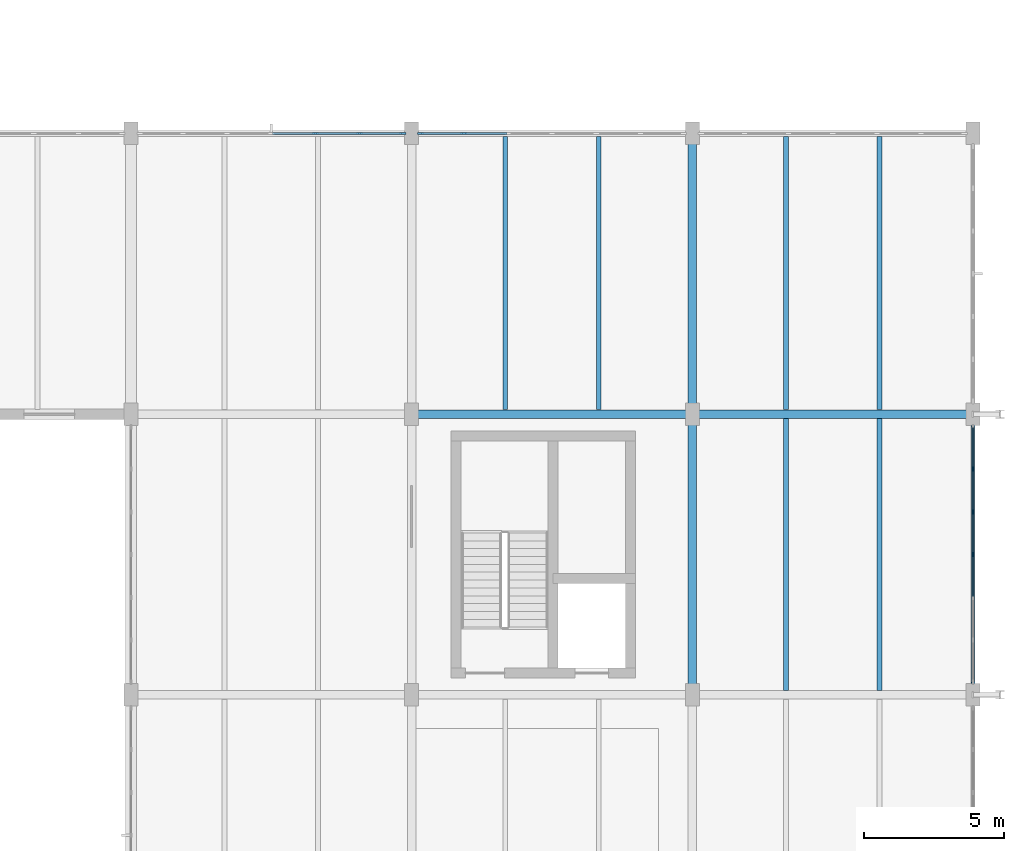
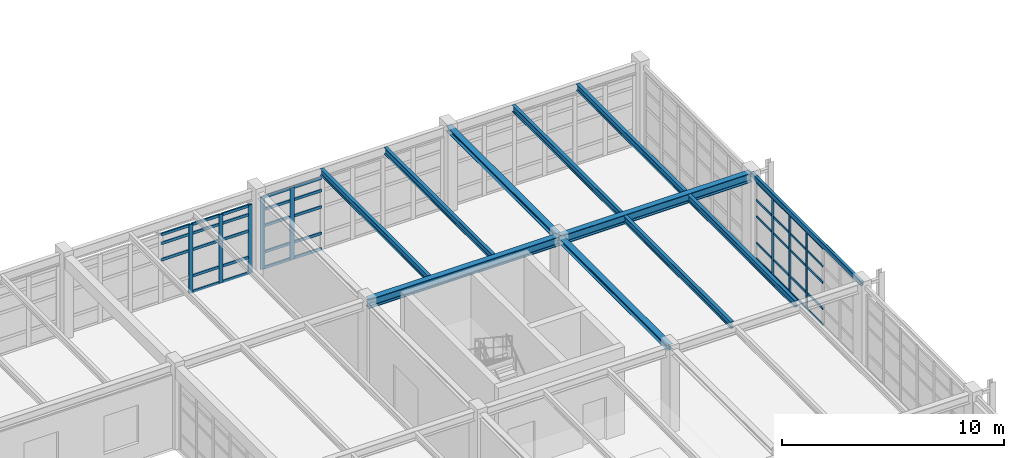
# One storey, part 76 of 139: 51 members, 11 beams, 3 elements without a shape of their own.
"""IFC4 building model written with IfcOpenShell, lengths in metres."""

from ifc_helpers import new_model, si_unit, direction, frame, origin, origin_2d, place, context, subcontext, project, spatial, rectangle, hollow_rectangle, i_section, extrude, material, layer, layer_set, material_profile, profile_set, type_object, element, aggregate, save


model = new_model("IFC4")

# Units and contexts
model_context = context("Model", 3, precision=1e-05, world=origin(), true_north=direction((0.0, 1.0)))
body_context = subcontext(model_context, "Body", "Model", "MODEL_VIEW")
ifc_project = project(units=[si_unit("LENGTHUNIT", "METRE"), si_unit("AREAUNIT", "SQUARE_METRE"), si_unit("VOLUMEUNIT", "CUBIC_METRE"), si_unit("PLANEANGLEUNIT", "RADIAN"), si_unit("MASSUNIT", "GRAM", prefix="KILO"), si_unit("THERMODYNAMICTEMPERATUREUNIT", "KELVIN"), si_unit("POWERUNIT", "WATT")], contexts=[model_context])

# Site, building, storey
site_placement = place(None, origin())
site = spatial("IfcSite", under=ifc_project, at=site_placement, CompositionType="ELEMENT")
building_placement = place(site_placement, origin())
building = spatial("IfcBuilding", under=site, at=building_placement, Name="Korenveer Ferry Terminal", CompositionType="ELEMENT")
storey_placement = place(building_placement, frame((0.0, 0.0, 5.39990234375)))
storey = spatial("IfcBuildingStorey", under=building, at=storey_placement, Name="L01", CompositionType="ELEMENT", Elevation=5.39990234375)

# Curtain wall, members
ifc_material_1 = material(Name="Unitised bronze-and-glass curtain wall", Category="glass")
ifc_layer_1 = layer(ifc_material_1, 0.159912109375)
ifc_layer_set_1 = layer_set([ifc_layer_1], Name="Unitised bronze-and-glass curtain wall")
curtain_wall_type_1 = type_object("IfcCurtainWallType", Name="ENV-CW-81", PredefinedType="USERDEFINED", material=ifc_layer_set_1)
curtain_wall_1_placement = place(storey_placement, frame((176.0, 69.570068359375, 0.0)))
curtain_wall_1 = element("IfcCurtainWall", 1, at=curtain_wall_1_placement, inside=storey, type_object=curtain_wall_type_1, Name="Lancet curtain wall CWX-L01-X176-176-Y60-70", ObjectType="UNITISED CURTAIN WALL", PredefinedType="USERDEFINED")
ifc_material_2 = material(Name="Anodised bronze aluminium", Category="aluminium")
ifc_material_profile_1 = material_profile(ifc_material_2, rectangle(XDim=0.06005859375, YDim=0.159912109375, at=origin_2d()), Name="ALU 60x160")
ifc_profile_set_1 = profile_set([ifc_material_profile_1], Name="Anodised bronze aluminium")
member_type_1 = type_object("IfcMemberType", Name="ENV-CWM-60X160", PredefinedType="MULLION", material=ifc_profile_set_1)
member_1_placement = place(storey_placement, frame((176.0, 68.046630859375, 0.0), z_axis=(0.0, 0.0, 1.0), x_axis=(1.0, 0.0, 0.0)))
member_1 = element("IfcMember", 2, at=member_1_placement, type_object=member_type_1, Name="CW-81 mullion 2", PredefinedType="MULLION", context=body_context, shape_type="SweptSolid", body=[
    extrude(rectangle(XDim=0.06005859375, YDim=0.159912109375, at=origin_2d()), origin(), (0.0, 0.0, 1.0), 4.27001953125),
])
member_2_placement = place(storey_placement, frame((176.0, 66.5234375, 0.0), z_axis=(0.0, 0.0, 1.0), x_axis=(1.0, 0.0, 0.0)))
member_2 = element("IfcMember", 3, at=member_2_placement, type_object=member_type_1, Name="CW-81 mullion 3", PredefinedType="MULLION", context=body_context, shape_type="SweptSolid", body=[
    extrude(rectangle(XDim=0.06005859375, YDim=0.159912109375, at=origin_2d()), origin(), (0.0, 0.0, 1.0), 4.27001953125),
])
member_3_placement = place(storey_placement, frame((176.0, 65.0, 0.0), z_axis=(0.0, 0.0, 1.0), x_axis=(1.0, 0.0, 0.0)))
member_3 = element("IfcMember", 4, at=member_3_placement, type_object=member_type_1, Name="CW-81 mullion 4", PredefinedType="MULLION", context=body_context, shape_type="SweptSolid", body=[
    extrude(rectangle(XDim=0.06005859375, YDim=0.159912109375, at=origin_2d()), origin(), (0.0, 0.0, 1.0), 4.27001953125),
])

ifc_layer_2 = layer(ifc_material_1, 0.219970703125)
ifc_layer_set_2 = layer_set([ifc_layer_2], Name="Unitised bronze-and-glass curtain wall")
curtain_wall_type_2 = type_object("IfcCurtainWallType", Name="ENV-CW-48", PredefinedType="USERDEFINED", material=ifc_layer_set_2)
curtain_wall_2_placement = place(storey_placement, frame((146.280029296875, 80.0, 0.0)))
curtain_wall_2 = element("IfcCurtainWall", 5, at=curtain_wall_2_placement, inside=storey, type_object=curtain_wall_type_2, Name="Lancet curtain wall CWX-L01-X146-156-Y80-80", ObjectType="UNITISED CURTAIN WALL", PredefinedType="USERDEFINED")
ifc_material_profile_2 = material_profile(ifc_material_2, rectangle(XDim=0.074951171875, YDim=0.219970703125, at=origin_2d()), Name="ALU 75x220")
ifc_profile_set_2 = profile_set([ifc_material_profile_2], Name="Anodised bronze aluminium")
member_type_2 = type_object("IfcMemberType", Name="ENV-CWM-75X220", PredefinedType="MULLION", material=ifc_profile_set_2)
member_4_placement = place(storey_placement, frame((152.5732421875, 80.0, 0.0), z_axis=(0.0, 0.0, 1.0), x_axis=(0.0, 1.0, 0.0)))
member_4 = element("IfcMember", 6, at=member_4_placement, type_object=member_type_2, Name="CW-48 mullion 5", PredefinedType="MULLION", context=body_context, shape_type="SweptSolid", body=[
    extrude(rectangle(XDim=0.074951171875, YDim=0.219970703125, at=origin_2d()), origin(), (0.0, 0.0, 1.0), 3.77001953125),
])
member_5_placement = place(storey_placement, frame((154.146728515625, 80.0, 0.0), z_axis=(0.0, 0.0, 1.0), x_axis=(0.0, 1.0, 0.0)))
member_5 = element("IfcMember", 7, at=member_5_placement, type_object=member_type_2, Name="CW-48 mullion 6", PredefinedType="MULLION", context=body_context, shape_type="SweptSolid", body=[
    extrude(rectangle(XDim=0.074951171875, YDim=0.219970703125, at=origin_2d()), origin(), (0.0, 0.0, 1.0), 3.77001953125),
])
member_6_placement = place(storey_placement, frame((155.6826171875, 80.0, 0.0), z_axis=(0.0, 0.0, 1.0), x_axis=(0.0, 1.0, 0.0)))
member_6 = element("IfcMember", 8, at=member_6_placement, type_object=member_type_2, Name="CW-48 mullion 7", PredefinedType="MULLION", context=body_context, shape_type="SweptSolid", body=[
    extrude(rectangle(XDim=0.074951171875, YDim=0.219970703125, at=origin_2d()), origin(), (0.0, 0.0, 1.0), 3.77001953125),
])

ifc_layer_3 = layer(ifc_material_1, 0.219970703125)
ifc_layer_set_3 = layer_set([ifc_layer_3], Name="Unitised bronze-and-glass curtain wall")
curtain_wall_type_3 = type_object("IfcCurtainWallType", Name="ENV-CW-49", PredefinedType="USERDEFINED", material=ifc_layer_set_3)
curtain_wall_3_placement = place(storey_placement, frame((156.280029296875, 80.0, 0.0)))
curtain_wall_3 = element("IfcCurtainWall", 9, at=curtain_wall_3_placement, inside=storey, type_object=curtain_wall_type_3, Name="Lancet curtain wall CWX-L01-X156-166-Y80-80", ObjectType="UNITISED CURTAIN WALL", PredefinedType="USERDEFINED")
member_7_placement = place(storey_placement, frame((156.3173828125, 80.0, 0.0), z_axis=(0.0, 0.0, 1.0), x_axis=(0.0, 1.0, 0.0)))
member_7 = element("IfcMember", 10, at=member_7_placement, type_object=member_type_2, Name="CW-49 mullion 1", PredefinedType="MULLION", context=body_context, shape_type="SweptSolid", body=[
    extrude(rectangle(XDim=0.074951171875, YDim=0.219970703125, at=origin_2d()), origin(), (0.0, 0.0, 1.0), 3.97021484375),
])
member_8_placement = place(storey_placement, frame((157.853271484375, 80.0, 0.0), z_axis=(0.0, 0.0, 1.0), x_axis=(0.0, 1.0, 0.0)))
member_8 = element("IfcMember", 11, at=member_8_placement, type_object=member_type_2, Name="CW-49 mullion 2", PredefinedType="MULLION", context=body_context, shape_type="SweptSolid", body=[
    extrude(rectangle(XDim=0.074951171875, YDim=0.219970703125, at=origin_2d()), origin(), (0.0, 0.0, 1.0), 3.97021484375),
])

# Member
ifc_material_profile_3 = material_profile(ifc_material_2, rectangle(XDim=0.06005859375, YDim=0.1201171875, at=origin_2d()), Name="ALU 60x120")
ifc_profile_set_3 = profile_set([ifc_material_profile_3], Name="Anodised bronze aluminium")
member_type_3 = type_object("IfcMemberType", Name="ENV-CWT-60X120", PredefinedType="USERDEFINED", material=ifc_profile_set_3)
member_9_placement = place(storey_placement, frame((176.0, 69.510009765625, 0.030029296875), z_axis=(0.0, -1.0, 0.0), x_axis=(1.0, 0.0, 0.0)))
member_9 = element("IfcMember", 12, at=member_9_placement, type_object=member_type_3, Name="CW-81 transom 1.1", ObjectType="TRANSOM", PredefinedType="USERDEFINED", context=body_context, shape_type="SweptSolid", body=[
    extrude(rectangle(XDim=0.06005859375, YDim=0.1201171875, at=origin_2d()), origin(), (0.0, 0.0, 1.0), 1.433349609375),
])

member_10_placement = place(storey_placement, frame((176.0, 69.510009765625, 0.900146484375), z_axis=(0.0, -1.0, 0.0), x_axis=(1.0, 0.0, 0.0)))
member_10 = element("IfcMember", 13, at=member_10_placement, type_object=member_type_3, Name="CW-81 transom 1.2", ObjectType="TRANSOM", PredefinedType="USERDEFINED", context=body_context, shape_type="SweptSolid", body=[
    extrude(rectangle(XDim=0.06005859375, YDim=0.1201171875, at=origin_2d()), origin(), (0.0, 0.0, 1.0), 1.433349609375),
])

member_11_placement = place(storey_placement, frame((176.0, 69.510009765625, 2.35009765625), z_axis=(0.0, -1.0, 0.0), x_axis=(1.0, 0.0, 0.0)))
member_11 = element("IfcMember", 14, at=member_11_placement, type_object=member_type_3, Name="CW-81 transom 1.3", ObjectType="TRANSOM", PredefinedType="USERDEFINED", context=body_context, shape_type="SweptSolid", body=[
    extrude(rectangle(XDim=0.06005859375, YDim=0.1201171875, at=origin_2d()), origin(), (0.0, 0.0, 1.0), 1.433349609375),
])

member_12_placement = place(storey_placement, frame((176.0, 69.510009765625, 3.25), z_axis=(0.0, -1.0, 0.0), x_axis=(1.0, 0.0, 0.0)))
member_12 = element("IfcMember", 15, at=member_12_placement, type_object=member_type_3, Name="CW-81 transom 1.4", ObjectType="TRANSOM", PredefinedType="USERDEFINED", context=body_context, shape_type="SweptSolid", body=[
    extrude(rectangle(XDim=0.06005859375, YDim=0.1201171875, at=origin_2d()), origin(), (0.0, 0.0, 1.0), 1.433349609375),
])

member_13_placement = place(storey_placement, frame((176.0, 69.510009765625, 4.239990234375), z_axis=(0.0, -1.0, 0.0), x_axis=(1.0, 0.0, 0.0)))
member_13 = element("IfcMember", 16, at=member_13_placement, type_object=member_type_3, Name="CW-81 transom 1.5", ObjectType="TRANSOM", PredefinedType="USERDEFINED", context=body_context, shape_type="SweptSolid", body=[
    extrude(rectangle(XDim=0.06005859375, YDim=0.1201171875, at=origin_2d()), origin(), (0.0, 0.0, 1.0), 1.433349609375),
])

member_14_placement = place(storey_placement, frame((176.0, 68.0166015625, 0.030029296875), z_axis=(0.0, -1.0, 0.0), x_axis=(1.0, 0.0, 0.0)))
member_14 = element("IfcMember", 17, at=member_14_placement, type_object=member_type_3, Name="CW-81 transom 2.1", ObjectType="TRANSOM", PredefinedType="USERDEFINED", context=body_context, shape_type="SweptSolid", body=[
    extrude(rectangle(XDim=0.06005859375, YDim=0.1201171875, at=origin_2d()), origin(), (0.0, 0.0, 1.0), 1.46337890625),
])

member_15_placement = place(storey_placement, frame((176.0, 68.0166015625, 0.900146484375), z_axis=(0.0, -1.0, 0.0), x_axis=(1.0, 0.0, 0.0)))
member_15 = element("IfcMember", 18, at=member_15_placement, type_object=member_type_3, Name="CW-81 transom 2.2", ObjectType="TRANSOM", PredefinedType="USERDEFINED", context=body_context, shape_type="SweptSolid", body=[
    extrude(rectangle(XDim=0.06005859375, YDim=0.1201171875, at=origin_2d()), origin(), (0.0, 0.0, 1.0), 1.46337890625),
])

member_16_placement = place(storey_placement, frame((176.0, 68.0166015625, 2.35009765625), z_axis=(0.0, -1.0, 0.0), x_axis=(1.0, 0.0, 0.0)))
member_16 = element("IfcMember", 19, at=member_16_placement, type_object=member_type_3, Name="CW-81 transom 2.3", ObjectType="TRANSOM", PredefinedType="USERDEFINED", context=body_context, shape_type="SweptSolid", body=[
    extrude(rectangle(XDim=0.06005859375, YDim=0.1201171875, at=origin_2d()), origin(), (0.0, 0.0, 1.0), 1.46337890625),
])

member_17_placement = place(storey_placement, frame((176.0, 68.0166015625, 3.25), z_axis=(0.0, -1.0, 0.0), x_axis=(1.0, 0.0, 0.0)))
member_17 = element("IfcMember", 20, at=member_17_placement, type_object=member_type_3, Name="CW-81 transom 2.4", ObjectType="TRANSOM", PredefinedType="USERDEFINED", context=body_context, shape_type="SweptSolid", body=[
    extrude(rectangle(XDim=0.06005859375, YDim=0.1201171875, at=origin_2d()), origin(), (0.0, 0.0, 1.0), 1.46337890625),
])

member_18_placement = place(storey_placement, frame((176.0, 68.0166015625, 4.239990234375), z_axis=(0.0, -1.0, 0.0), x_axis=(1.0, 0.0, 0.0)))
member_18 = element("IfcMember", 21, at=member_18_placement, type_object=member_type_3, Name="CW-81 transom 2.5", ObjectType="TRANSOM", PredefinedType="USERDEFINED", context=body_context, shape_type="SweptSolid", body=[
    extrude(rectangle(XDim=0.06005859375, YDim=0.1201171875, at=origin_2d()), origin(), (0.0, 0.0, 1.0), 1.46337890625),
])

member_19_placement = place(storey_placement, frame((176.0, 66.493408203125, 0.030029296875), z_axis=(0.0, -1.0, 0.0), x_axis=(1.0, 0.0, 0.0)))
member_19 = element("IfcMember", 22, at=member_19_placement, type_object=member_type_3, Name="CW-81 transom 3.1", ObjectType="TRANSOM", PredefinedType="USERDEFINED", context=body_context, shape_type="SweptSolid", body=[
    extrude(rectangle(XDim=0.06005859375, YDim=0.1201171875, at=origin_2d()), origin(), (0.0, 0.0, 1.0), 1.46337890625),
])

member_20_placement = place(storey_placement, frame((176.0, 66.493408203125, 0.900146484375), z_axis=(0.0, -1.0, 0.0), x_axis=(1.0, 0.0, 0.0)))
member_20 = element("IfcMember", 23, at=member_20_placement, type_object=member_type_3, Name="CW-81 transom 3.2", ObjectType="TRANSOM", PredefinedType="USERDEFINED", context=body_context, shape_type="SweptSolid", body=[
    extrude(rectangle(XDim=0.06005859375, YDim=0.1201171875, at=origin_2d()), origin(), (0.0, 0.0, 1.0), 1.46337890625),
])

member_21_placement = place(storey_placement, frame((176.0, 66.493408203125, 2.35009765625), z_axis=(0.0, -1.0, 0.0), x_axis=(1.0, 0.0, 0.0)))
member_21 = element("IfcMember", 24, at=member_21_placement, type_object=member_type_3, Name="CW-81 transom 3.3", ObjectType="TRANSOM", PredefinedType="USERDEFINED", context=body_context, shape_type="SweptSolid", body=[
    extrude(rectangle(XDim=0.06005859375, YDim=0.1201171875, at=origin_2d()), origin(), (0.0, 0.0, 1.0), 1.46337890625),
])

member_22_placement = place(storey_placement, frame((176.0, 66.493408203125, 3.25), z_axis=(0.0, -1.0, 0.0), x_axis=(1.0, 0.0, 0.0)))
member_22 = element("IfcMember", 25, at=member_22_placement, type_object=member_type_3, Name="CW-81 transom 3.4", ObjectType="TRANSOM", PredefinedType="USERDEFINED", context=body_context, shape_type="SweptSolid", body=[
    extrude(rectangle(XDim=0.06005859375, YDim=0.1201171875, at=origin_2d()), origin(), (0.0, 0.0, 1.0), 1.46337890625),
])

member_23_placement = place(storey_placement, frame((176.0, 66.493408203125, 4.239990234375), z_axis=(0.0, -1.0, 0.0), x_axis=(1.0, 0.0, 0.0)))
member_23 = element("IfcMember", 26, at=member_23_placement, type_object=member_type_3, Name="CW-81 transom 3.5", ObjectType="TRANSOM", PredefinedType="USERDEFINED", context=body_context, shape_type="SweptSolid", body=[
    extrude(rectangle(XDim=0.06005859375, YDim=0.1201171875, at=origin_2d()), origin(), (0.0, 0.0, 1.0), 1.46337890625),
])

member_24_placement = place(storey_placement, frame((176.0, 64.969970703125, 0.030029296875), z_axis=(0.0, -1.0, 0.0), x_axis=(1.0, 0.0, 0.0)))
member_24 = element("IfcMember", 27, at=member_24_placement, type_object=member_type_3, Name="CW-81 transom 4.1", ObjectType="TRANSOM", PredefinedType="USERDEFINED", context=body_context, shape_type="SweptSolid", body=[
    extrude(rectangle(XDim=0.06005859375, YDim=0.1201171875, at=origin_2d()), origin(), (0.0, 0.0, 1.0), 1.46337890625),
])

member_25_placement = place(storey_placement, frame((176.0, 64.969970703125, 0.900146484375), z_axis=(0.0, -1.0, 0.0), x_axis=(1.0, 0.0, 0.0)))
member_25 = element("IfcMember", 28, at=member_25_placement, type_object=member_type_3, Name="CW-81 transom 4.2", ObjectType="TRANSOM", PredefinedType="USERDEFINED", context=body_context, shape_type="SweptSolid", body=[
    extrude(rectangle(XDim=0.06005859375, YDim=0.1201171875, at=origin_2d()), origin(), (0.0, 0.0, 1.0), 1.46337890625),
])

member_26_placement = place(storey_placement, frame((176.0, 64.969970703125, 2.35009765625), z_axis=(0.0, -1.0, 0.0), x_axis=(1.0, 0.0, 0.0)))
member_26 = element("IfcMember", 29, at=member_26_placement, type_object=member_type_3, Name="CW-81 transom 4.3", ObjectType="TRANSOM", PredefinedType="USERDEFINED", context=body_context, shape_type="SweptSolid", body=[
    extrude(rectangle(XDim=0.06005859375, YDim=0.1201171875, at=origin_2d()), origin(), (0.0, 0.0, 1.0), 1.46337890625),
])

member_27_placement = place(storey_placement, frame((176.0, 64.969970703125, 3.25), z_axis=(0.0, -1.0, 0.0), x_axis=(1.0, 0.0, 0.0)))
member_27 = element("IfcMember", 30, at=member_27_placement, type_object=member_type_3, Name="CW-81 transom 4.4", ObjectType="TRANSOM", PredefinedType="USERDEFINED", context=body_context, shape_type="SweptSolid", body=[
    extrude(rectangle(XDim=0.06005859375, YDim=0.1201171875, at=origin_2d()), origin(), (0.0, 0.0, 1.0), 1.46337890625),
])

member_28_placement = place(storey_placement, frame((176.0, 64.969970703125, 4.239990234375), z_axis=(0.0, -1.0, 0.0), x_axis=(1.0, 0.0, 0.0)))
member_28 = element("IfcMember", 31, at=member_28_placement, type_object=member_type_3, Name="CW-81 transom 4.5", ObjectType="TRANSOM", PredefinedType="USERDEFINED", context=body_context, shape_type="SweptSolid", body=[
    extrude(rectangle(XDim=0.06005859375, YDim=0.1201171875, at=origin_2d()), origin(), (0.0, 0.0, 1.0), 1.46337890625),
])

aggregate(curtain_wall_1, [member_1, member_2, member_3, member_9, member_10, member_11, member_12, member_13, member_14, member_15, member_16, member_17, member_18, member_19, member_20, member_21, member_22, member_23, member_24, member_25, member_26, member_27, member_28])

ifc_material_profile_4 = material_profile(ifc_material_2, rectangle(XDim=0.074951171875, YDim=0.14990234375, at=origin_2d()), Name="ALU 75x150")
ifc_profile_set_4 = profile_set([ifc_material_profile_4], Name="Anodised bronze aluminium")
member_type_4 = type_object("IfcMemberType", Name="ENV-CWT-75X150", PredefinedType="USERDEFINED", material=ifc_profile_set_4)
member_29_placement = place(storey_placement, frame((151.03759765625, 80.0, 2.35009765625), z_axis=(1.0, 0.0, 0.0), x_axis=(0.0, 1.0, 0.0)))
member_29 = element("IfcMember", 32, at=member_29_placement, type_object=member_type_4, Name="CW-48 transom 4.3", ObjectType="TRANSOM", PredefinedType="USERDEFINED", context=body_context, shape_type="SweptSolid", body=[
    extrude(rectangle(XDim=0.074951171875, YDim=0.14990234375, at=origin_2d()), origin(), (0.0, 0.0, 1.0), 1.498291015625),
])

member_30_placement = place(storey_placement, frame((151.03759765625, 80.0, 3.25), z_axis=(1.0, 0.0, 0.0), x_axis=(0.0, 1.0, 0.0)))
member_30 = element("IfcMember", 33, at=member_30_placement, type_object=member_type_4, Name="CW-48 transom 4.4", ObjectType="TRANSOM", PredefinedType="USERDEFINED", context=body_context, shape_type="SweptSolid", body=[
    extrude(rectangle(XDim=0.074951171875, YDim=0.14990234375, at=origin_2d()), origin(), (0.0, 0.0, 1.0), 1.498291015625),
])

member_31_placement = place(storey_placement, frame((151.03759765625, 80.0, 3.732666015625), z_axis=(1.0, 0.0, 0.0), x_axis=(0.0, 1.0, 0.0)))
member_31 = element("IfcMember", 34, at=member_31_placement, type_object=member_type_4, Name="CW-48 transom 4.5", ObjectType="TRANSOM", PredefinedType="USERDEFINED", context=body_context, shape_type="SweptSolid", body=[
    extrude(rectangle(XDim=0.074951171875, YDim=0.14990234375, at=origin_2d()), origin(), (0.0, 0.0, 1.0), 1.498291015625),
])

member_32_placement = place(storey_placement, frame((152.61083984375, 80.0, 0.03759765625), z_axis=(1.0, 0.0, 0.0), x_axis=(0.0, 1.0, 0.0)))
member_32 = element("IfcMember", 35, at=member_32_placement, type_object=member_type_4, Name="CW-48 transom 5.1", ObjectType="TRANSOM", PredefinedType="USERDEFINED", context=body_context, shape_type="SweptSolid", body=[
    extrude(rectangle(XDim=0.074951171875, YDim=0.14990234375, at=origin_2d()), origin(), (0.0, 0.0, 1.0), 1.498291015625),
])

member_33_placement = place(storey_placement, frame((152.61083984375, 80.0, 0.900146484375), z_axis=(1.0, 0.0, 0.0), x_axis=(0.0, 1.0, 0.0)))
member_33 = element("IfcMember", 36, at=member_33_placement, type_object=member_type_4, Name="CW-48 transom 5.2", ObjectType="TRANSOM", PredefinedType="USERDEFINED", context=body_context, shape_type="SweptSolid", body=[
    extrude(rectangle(XDim=0.074951171875, YDim=0.14990234375, at=origin_2d()), origin(), (0.0, 0.0, 1.0), 1.498291015625),
])

member_34_placement = place(storey_placement, frame((152.61083984375, 80.0, 2.35009765625), z_axis=(1.0, 0.0, 0.0), x_axis=(0.0, 1.0, 0.0)))
member_34 = element("IfcMember", 37, at=member_34_placement, type_object=member_type_4, Name="CW-48 transom 5.3", ObjectType="TRANSOM", PredefinedType="USERDEFINED", context=body_context, shape_type="SweptSolid", body=[
    extrude(rectangle(XDim=0.074951171875, YDim=0.14990234375, at=origin_2d()), origin(), (0.0, 0.0, 1.0), 1.498291015625),
])

member_35_placement = place(storey_placement, frame((152.61083984375, 80.0, 3.25), z_axis=(1.0, 0.0, 0.0), x_axis=(0.0, 1.0, 0.0)))
member_35 = element("IfcMember", 38, at=member_35_placement, type_object=member_type_4, Name="CW-48 transom 5.4", ObjectType="TRANSOM", PredefinedType="USERDEFINED", context=body_context, shape_type="SweptSolid", body=[
    extrude(rectangle(XDim=0.074951171875, YDim=0.14990234375, at=origin_2d()), origin(), (0.0, 0.0, 1.0), 1.498291015625),
])

member_36_placement = place(storey_placement, frame((152.61083984375, 80.0, 3.732666015625), z_axis=(1.0, 0.0, 0.0), x_axis=(0.0, 1.0, 0.0)))
member_36 = element("IfcMember", 39, at=member_36_placement, type_object=member_type_4, Name="CW-48 transom 5.5", ObjectType="TRANSOM", PredefinedType="USERDEFINED", context=body_context, shape_type="SweptSolid", body=[
    extrude(rectangle(XDim=0.074951171875, YDim=0.14990234375, at=origin_2d()), origin(), (0.0, 0.0, 1.0), 1.498291015625),
])

member_37_placement = place(storey_placement, frame((154.18408203125, 80.0, 0.03759765625), z_axis=(1.0, 0.0, 0.0), x_axis=(0.0, 1.0, 0.0)))
member_37 = element("IfcMember", 40, at=member_37_placement, type_object=member_type_4, Name="CW-48 transom 6.1", ObjectType="TRANSOM", PredefinedType="USERDEFINED", context=body_context, shape_type="SweptSolid", body=[
    extrude(rectangle(XDim=0.074951171875, YDim=0.14990234375, at=origin_2d()), origin(), (0.0, 0.0, 1.0), 1.4609375),
])

member_38_placement = place(storey_placement, frame((154.18408203125, 80.0, 0.900146484375), z_axis=(1.0, 0.0, 0.0), x_axis=(0.0, 1.0, 0.0)))
member_38 = element("IfcMember", 41, at=member_38_placement, type_object=member_type_4, Name="CW-48 transom 6.2", ObjectType="TRANSOM", PredefinedType="USERDEFINED", context=body_context, shape_type="SweptSolid", body=[
    extrude(rectangle(XDim=0.074951171875, YDim=0.14990234375, at=origin_2d()), origin(), (0.0, 0.0, 1.0), 1.4609375),
])

member_39_placement = place(storey_placement, frame((154.18408203125, 80.0, 2.35009765625), z_axis=(1.0, 0.0, 0.0), x_axis=(0.0, 1.0, 0.0)))
member_39 = element("IfcMember", 42, at=member_39_placement, type_object=member_type_4, Name="CW-48 transom 6.3", ObjectType="TRANSOM", PredefinedType="USERDEFINED", context=body_context, shape_type="SweptSolid", body=[
    extrude(rectangle(XDim=0.074951171875, YDim=0.14990234375, at=origin_2d()), origin(), (0.0, 0.0, 1.0), 1.4609375),
])

member_40_placement = place(storey_placement, frame((154.18408203125, 80.0, 3.25), z_axis=(1.0, 0.0, 0.0), x_axis=(0.0, 1.0, 0.0)))
member_40 = element("IfcMember", 43, at=member_40_placement, type_object=member_type_4, Name="CW-48 transom 6.4", ObjectType="TRANSOM", PredefinedType="USERDEFINED", context=body_context, shape_type="SweptSolid", body=[
    extrude(rectangle(XDim=0.074951171875, YDim=0.14990234375, at=origin_2d()), origin(), (0.0, 0.0, 1.0), 1.4609375),
])

member_41_placement = place(storey_placement, frame((154.18408203125, 80.0, 3.732666015625), z_axis=(1.0, 0.0, 0.0), x_axis=(0.0, 1.0, 0.0)))
member_41 = element("IfcMember", 44, at=member_41_placement, type_object=member_type_4, Name="CW-48 transom 6.5", ObjectType="TRANSOM", PredefinedType="USERDEFINED", context=body_context, shape_type="SweptSolid", body=[
    extrude(rectangle(XDim=0.074951171875, YDim=0.14990234375, at=origin_2d()), origin(), (0.0, 0.0, 1.0), 1.4609375),
])

aggregate(curtain_wall_2, [member_4, member_5, member_6, member_29, member_30, member_31, member_32, member_33, member_34, member_35, member_36, member_37, member_38, member_39, member_40, member_41])

member_42_placement = place(storey_placement, frame((156.35498046875, 80.0, 0.03759765625), z_axis=(1.0, 0.0, 0.0), x_axis=(0.0, 1.0, 0.0)))
member_42 = element("IfcMember", 45, at=member_42_placement, type_object=member_type_4, Name="CW-49 transom 1.1", ObjectType="TRANSOM", PredefinedType="USERDEFINED", context=body_context, shape_type="SweptSolid", body=[
    extrude(rectangle(XDim=0.074951171875, YDim=0.14990234375, at=origin_2d()), origin(), (0.0, 0.0, 1.0), 1.4609375),
])

member_43_placement = place(storey_placement, frame((156.35498046875, 80.0, 0.900146484375), z_axis=(1.0, 0.0, 0.0), x_axis=(0.0, 1.0, 0.0)))
member_43 = element("IfcMember", 46, at=member_43_placement, type_object=member_type_4, Name="CW-49 transom 1.2", ObjectType="TRANSOM", PredefinedType="USERDEFINED", context=body_context, shape_type="SweptSolid", body=[
    extrude(rectangle(XDim=0.074951171875, YDim=0.14990234375, at=origin_2d()), origin(), (0.0, 0.0, 1.0), 1.4609375),
])

member_44_placement = place(storey_placement, frame((156.35498046875, 80.0, 2.35009765625), z_axis=(1.0, 0.0, 0.0), x_axis=(0.0, 1.0, 0.0)))
member_44 = element("IfcMember", 47, at=member_44_placement, type_object=member_type_4, Name="CW-49 transom 1.3", ObjectType="TRANSOM", PredefinedType="USERDEFINED", context=body_context, shape_type="SweptSolid", body=[
    extrude(rectangle(XDim=0.074951171875, YDim=0.14990234375, at=origin_2d()), origin(), (0.0, 0.0, 1.0), 1.4609375),
])

member_45_placement = place(storey_placement, frame((156.35498046875, 80.0, 3.25), z_axis=(1.0, 0.0, 0.0), x_axis=(0.0, 1.0, 0.0)))
member_45 = element("IfcMember", 48, at=member_45_placement, type_object=member_type_4, Name="CW-49 transom 1.4", ObjectType="TRANSOM", PredefinedType="USERDEFINED", context=body_context, shape_type="SweptSolid", body=[
    extrude(rectangle(XDim=0.074951171875, YDim=0.14990234375, at=origin_2d()), origin(), (0.0, 0.0, 1.0), 1.4609375),
])

member_46_placement = place(storey_placement, frame((156.35498046875, 80.0, 3.9326171875), z_axis=(1.0, 0.0, 0.0), x_axis=(0.0, 1.0, 0.0)))
member_46 = element("IfcMember", 49, at=member_46_placement, type_object=member_type_4, Name="CW-49 transom 1.5", ObjectType="TRANSOM", PredefinedType="USERDEFINED", context=body_context, shape_type="SweptSolid", body=[
    extrude(rectangle(XDim=0.074951171875, YDim=0.14990234375, at=origin_2d()), origin(), (0.0, 0.0, 1.0), 1.4609375),
])

member_47_placement = place(storey_placement, frame((157.890869140625, 80.0, 0.03759765625), z_axis=(1.0, 0.0, 0.0), x_axis=(0.0, 1.0, 0.0)))
member_47 = element("IfcMember", 50, at=member_47_placement, type_object=member_type_4, Name="CW-49 transom 2.1", ObjectType="TRANSOM", PredefinedType="USERDEFINED", context=body_context, shape_type="SweptSolid", body=[
    extrude(rectangle(XDim=0.074951171875, YDim=0.14990234375, at=origin_2d()), origin(), (0.0, 0.0, 1.0), 1.498291015625),
])

member_48_placement = place(storey_placement, frame((157.890869140625, 80.0, 0.900146484375), z_axis=(1.0, 0.0, 0.0), x_axis=(0.0, 1.0, 0.0)))
member_48 = element("IfcMember", 51, at=member_48_placement, type_object=member_type_4, Name="CW-49 transom 2.2", ObjectType="TRANSOM", PredefinedType="USERDEFINED", context=body_context, shape_type="SweptSolid", body=[
    extrude(rectangle(XDim=0.074951171875, YDim=0.14990234375, at=origin_2d()), origin(), (0.0, 0.0, 1.0), 1.498291015625),
])

member_49_placement = place(storey_placement, frame((157.890869140625, 80.0, 2.35009765625), z_axis=(1.0, 0.0, 0.0), x_axis=(0.0, 1.0, 0.0)))
member_49 = element("IfcMember", 52, at=member_49_placement, type_object=member_type_4, Name="CW-49 transom 2.3", ObjectType="TRANSOM", PredefinedType="USERDEFINED", context=body_context, shape_type="SweptSolid", body=[
    extrude(rectangle(XDim=0.074951171875, YDim=0.14990234375, at=origin_2d()), origin(), (0.0, 0.0, 1.0), 1.498291015625),
])

member_50_placement = place(storey_placement, frame((157.890869140625, 80.0, 3.25), z_axis=(1.0, 0.0, 0.0), x_axis=(0.0, 1.0, 0.0)))
member_50 = element("IfcMember", 53, at=member_50_placement, type_object=member_type_4, Name="CW-49 transom 2.4", ObjectType="TRANSOM", PredefinedType="USERDEFINED", context=body_context, shape_type="SweptSolid", body=[
    extrude(rectangle(XDim=0.074951171875, YDim=0.14990234375, at=origin_2d()), origin(), (0.0, 0.0, 1.0), 1.498291015625),
])

member_51_placement = place(storey_placement, frame((157.890869140625, 80.0, 3.9326171875), z_axis=(1.0, 0.0, 0.0), x_axis=(0.0, 1.0, 0.0)))
member_51 = element("IfcMember", 54, at=member_51_placement, type_object=member_type_4, Name="CW-49 transom 2.5", ObjectType="TRANSOM", PredefinedType="USERDEFINED", context=body_context, shape_type="SweptSolid", body=[
    extrude(rectangle(XDim=0.074951171875, YDim=0.14990234375, at=origin_2d()), origin(), (0.0, 0.0, 1.0), 1.498291015625),
])

aggregate(curtain_wall_3, [member_7, member_8, member_42, member_43, member_44, member_45, member_46, member_47, member_48, member_49, member_50, member_51])

# Beams
ifc_material_3 = material(Name="Steel S355", Category="steel")
ifc_material_profile_5 = material_profile(ifc_material_3, i_section(OverallWidth=0.300048828125, OverallDepth=0.2900390625, WebThickness=0.008544921875, FlangeThickness=0.013916015625, FilletRadius=0.027099609375, at=origin_2d()), Name="HEA 300")
ifc_profile_set_5 = profile_set([ifc_material_profile_5], Name="Steel S355")
beam_type_1 = type_object("IfcBeamType", Name="STR-BM-HEA300", PredefinedType="BEAM", material=ifc_profile_set_5)
for number, where, z_axis, x_axis, name in (
    (55, (166.0, 60.02001953125, 4.405029296875), (0.0, 1.0, 0.0), (-1.0, 0.0, 0.0), "Primary Y girder BMY-L02-X166-Y60-70"),
    (56, (166.0, 70.02001953125, 4.405029296875), (0.0, 1.0, 0.0), (-1.0, 0.0, 0.0), "Primary Y girder BMY-L02-X166-Y70-80"),
):
    element("IfcBeam", number, at=place(storey_placement, frame(where, z_axis=z_axis, x_axis=x_axis)), inside=storey, type_object=beam_type_1, Name=name, PredefinedType="BEAM", context=body_context, shape_type="SweptSolid", body=[
        extrude(i_section(OverallWidth=0.300048828125, OverallDepth=0.2900390625, WebThickness=0.008544921875, FlangeThickness=0.013916015625, FilletRadius=0.027099609375, at=origin_2d()), origin(), (0.0, 0.0, 1.0), 9.9599609375),
    ])
ifc_material_profile_6 = material_profile(ifc_material_3, i_section(OverallWidth=0.300048828125, OverallDepth=0.5, WebThickness=0.014404296875, FlangeThickness=0.028076171875, FilletRadius=0.027099609375, at=origin_2d()), Name="HEB 500")
ifc_profile_set_6 = profile_set([ifc_material_profile_6], Name="Steel S355")
beam_type_2 = type_object("IfcBeamType", Name="STR-BM-HEB500", PredefinedType="BEAM", material=ifc_profile_set_6)
for number, where, z_axis, x_axis, name in (
    (57, (156.02001953125, 70.0, 4.300048828125), (1.0, 0.0, 0.0), (0.0, 1.0, 0.0), "Primary X girder BMX-L02-X156-166-Y70"),
    (58, (166.02001953125, 70.0, 4.300048828125), (1.0, 0.0, 0.0), (0.0, 1.0, 0.0), "Primary X girder BMX-L02-X166-176-Y70"),
):
    element("IfcBeam", number, at=place(storey_placement, frame(where, z_axis=z_axis, x_axis=x_axis)), inside=storey, type_object=beam_type_2, Name=name, PredefinedType="BEAM", context=body_context, shape_type="SweptSolid", body=[
        extrude(i_section(OverallWidth=0.300048828125, OverallDepth=0.5, WebThickness=0.014404296875, FlangeThickness=0.028076171875, FilletRadius=0.027099609375, at=origin_2d()), origin(), (0.0, 0.0, 1.0), 9.9599609375),
    ])
ifc_material_profile_7 = material_profile(ifc_material_3, i_section(OverallWidth=0.169921875, OverallDepth=0.360107421875, WebThickness=0.008056640625, FlangeThickness=0.0126953125, FilletRadius=0.01806640625, at=origin_2d()), Name="IPE 360")
ifc_profile_set_7 = profile_set([ifc_material_profile_7], Name="Steel S355")
beam_type_3 = type_object("IfcBeamType", Name="STR-JST-IPE360", PredefinedType="JOIST", material=ifc_profile_set_7)
for number, where, z_axis, x_axis, name in (
    (59, (159.333251953125, 70.159912109375, 4.3701171875), (0.0, 1.0, 0.0), (-1.0, 0.0, 0.0), "Secondary composite joist JST-L02-X1593-Y70-80"),
    (60, (162.666748046875, 70.159912109375, 4.3701171875), (0.0, 1.0, 0.0), (-1.0, 0.0, 0.0), "Secondary composite joist JST-L02-X1627-Y70-80"),
):
    element("IfcBeam", number, at=place(storey_placement, frame(where, z_axis=z_axis, x_axis=x_axis)), inside=storey, type_object=beam_type_3, Name=name, PredefinedType="JOIST", context=body_context, shape_type="SweptSolid", body=[
        extrude(i_section(OverallWidth=0.169921875, OverallDepth=0.360107421875, WebThickness=0.008056640625, FlangeThickness=0.0126953125, FilletRadius=0.01806640625, at=origin_2d()), origin(), (0.0, 0.0, 1.0), 9.72509765625),
    ])
for number, where, z_axis, x_axis, name in (
    (61, (169.333251953125, 60.159912109375, 4.3701171875), (0.0, 1.0, 0.0), (-1.0, 0.0, 0.0), "Secondary composite joist JST-L02-X1693-Y60-70"),
    (62, (172.666748046875, 60.159912109375, 4.3701171875), (0.0, 1.0, 0.0), (-1.0, 0.0, 0.0), "Secondary composite joist JST-L02-X1727-Y60-70"),
):
    element("IfcBeam", number, at=place(storey_placement, frame(where, z_axis=z_axis, x_axis=x_axis)), inside=storey, type_object=beam_type_3, Name=name, PredefinedType="JOIST", context=body_context, shape_type="SweptSolid", body=[
        extrude(i_section(OverallWidth=0.169921875, OverallDepth=0.360107421875, WebThickness=0.008056640625, FlangeThickness=0.0126953125, FilletRadius=0.01806640625, at=origin_2d()), origin(), (0.0, 0.0, 1.0), 9.68017578125),
    ])
for number, where, z_axis, x_axis, name in (
    (63, (169.333251953125, 70.159912109375, 4.3701171875), (0.0, 1.0, 0.0), (-1.0, 0.0, 0.0), "Secondary composite joist JST-L02-X1693-Y70-80"),
    (64, (172.666748046875, 70.159912109375, 4.3701171875), (0.0, 1.0, 0.0), (-1.0, 0.0, 0.0), "Secondary composite joist JST-L02-X1727-Y70-80"),
):
    element("IfcBeam", number, at=place(storey_placement, frame(where, z_axis=z_axis, x_axis=x_axis)), inside=storey, type_object=beam_type_3, Name=name, PredefinedType="JOIST", context=body_context, shape_type="SweptSolid", body=[
        extrude(i_section(OverallWidth=0.169921875, OverallDepth=0.360107421875, WebThickness=0.008056640625, FlangeThickness=0.0126953125, FilletRadius=0.01806640625, at=origin_2d()), origin(), (0.0, 0.0, 1.0), 9.72509765625),
    ])
ifc_material_profile_8 = material_profile(ifc_material_3, hollow_rectangle(XDim=0.14990234375, YDim=0.25, WallThickness=0.010009765625, InnerFilletRadius=0.010009765625, OuterFilletRadius=0.014892578125, at=origin_2d()), Name="RHS 250x150x10")
ifc_profile_set_8 = profile_set([ifc_material_profile_8], Name="Steel S355")
beam_type_4 = type_object("IfcBeamType", Name="STR-SPD-RHS250", PredefinedType="SPANDREL", material=ifc_profile_set_8)
beam_placement = place(storey_placement, frame((176.0, 60.02001953125, 4.425048828125), z_axis=(0.0, 1.0, 0.0), x_axis=(-1.0, 0.0, 0.0)))
element("IfcBeam", 65, at=beam_placement, inside=storey, type_object=beam_type_4, Name="Primary Y girder BMY-L02-X176-Y60-70", PredefinedType="SPANDREL", context=body_context, shape_type="SweptSolid", body=[
    extrude(hollow_rectangle(XDim=0.14990234375, YDim=0.25, WallThickness=0.010009765625, InnerFilletRadius=0.010009765625, OuterFilletRadius=0.014892578125, at=origin_2d()), origin(), (0.0, 0.0, 1.0), 9.9599609375),
])

save(model, "model.ifc")
